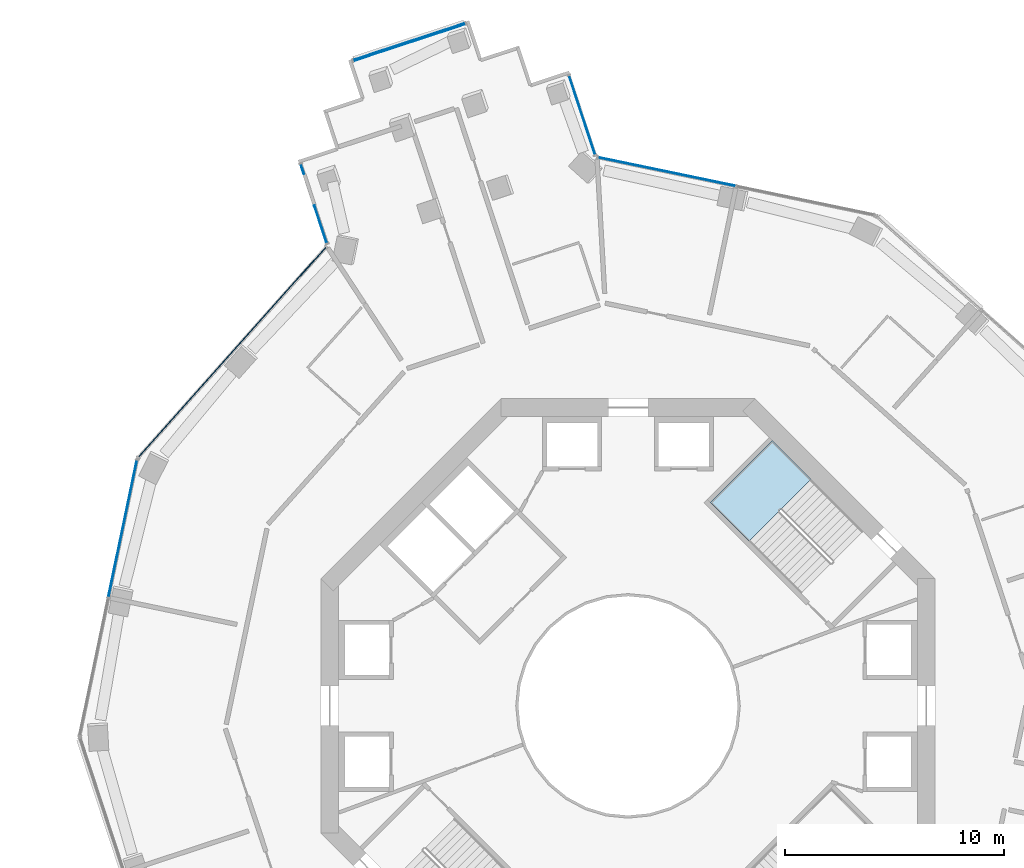
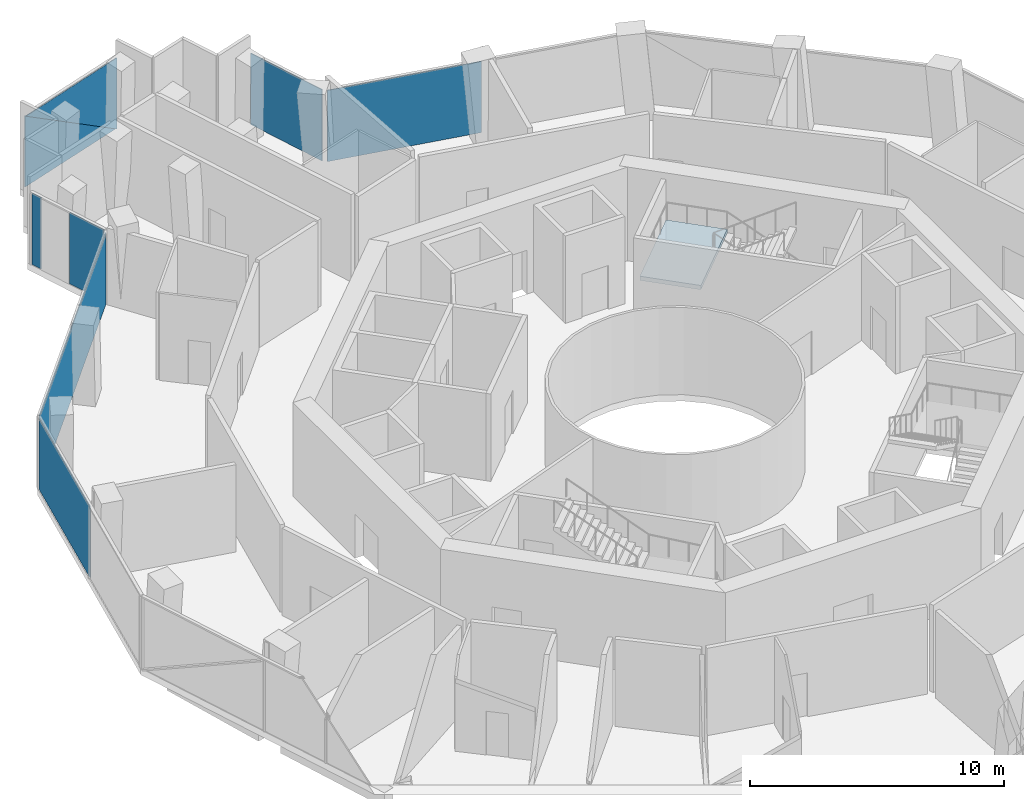
# One storey, part 13 of 21: 8 plates, 1 slab, 7 elements without a shape of their own.
"""IFC4 building model written with IfcOpenShell, lengths in metres."""

from ifc_helpers import new_model, si_unit, direction, frame, origin, origin_2d, place, context, subcontext, project, spatial, polyline, rectangle, outline, extrude, material, layer, layer_set, type_object, element, aggregate, save


model = new_model("IFC4")

# Units and contexts
model_context = context("Model", 3, precision=1e-05, world=origin(), true_north=direction((0.0, 1.0)))
body_context = subcontext(model_context, "Body", "Model", "MODEL_VIEW")
ifc_project = project(units=[si_unit("LENGTHUNIT", "METRE"), si_unit("AREAUNIT", "SQUARE_METRE"), si_unit("VOLUMEUNIT", "CUBIC_METRE"), si_unit("PLANEANGLEUNIT", "RADIAN"), si_unit("MASSUNIT", "GRAM", prefix="KILO")], contexts=[model_context])

# Site, building, storey
site_placement = place(None, origin())
site = spatial("IfcSite", under=ifc_project, at=site_placement, CompositionType="ELEMENT")
building_placement = place(site_placement, origin())
building = spatial("IfcBuilding", under=site, at=building_placement, Name="Verdalira Terraces Hotel", CompositionType="ELEMENT")
storey_placement = place(building_placement, frame((0.0, 0.0, 107.0)))
storey = spatial("IfcBuildingStorey", under=building, at=storey_placement, Name="L25", CompositionType="ELEMENT", Elevation=107.0)

# Curtain wall, plate
ifc_material_1 = material(Name="Clear glass", Category="glass")
ifc_layer_1 = layer(ifc_material_1, 0.179931640625)
ifc_layer_set_1 = layer_set([ifc_layer_1], Name="CW4 curtain wall")
curtain_wall_type = type_object("IfcCurtainWallType", Name="CW4 curtain wall", PredefinedType="NOTDEFINED", material=ifc_layer_set_1)
curtain_wall_1_placement = place(storey_placement, origin())
curtain_wall_1 = element("IfcCurtainWall", 1, at=curtain_wall_1_placement, inside=storey, type_object=curtain_wall_type, Name="CW4 curtain wall L25 edge 0", PredefinedType="NOTDEFINED")
ifc_material_2 = material(Name="Clear glass", Category="glass")
ifc_layer_2 = layer(ifc_material_2, 0.035888671875)
ifc_layer_set_2 = layer_set([ifc_layer_2], Name="CW4 glass unit 36")
plate_type = type_object("IfcPlateType", Name="CW4 glass unit 36", PredefinedType="CURTAIN_PANEL", material=ifc_layer_set_2)
plate_1_placement = place(storey_placement, frame((-2.093506, 26.927246, 0.0), z_axis=(0.0, 0.0, 1.0), x_axis=(-0.312998048, 0.949753769, 0.0)))
plate_1 = element("IfcPlate", 2, at=plate_1_placement, type_object=plate_type, Name="CW4 glass unit", PredefinedType="CURTAIN_PANEL", context=body_context, shape_type="SweptSolid", body=[
    extrude(rectangle(XDim=3.777832, YDim=0.035889, at=origin_2d()), origin(), (0.0, 0.0, 1.0), 3.419922),
])
aggregate(curtain_wall_1, [plate_1])

# Curtain wall, plates
curtain_wall_2_placement = place(storey_placement, origin())
curtain_wall_2 = element("IfcCurtainWall", 3, at=curtain_wall_2_placement, inside=storey, type_object=curtain_wall_type, Name="CW4 curtain wall L25 edge 5", PredefinedType="NOTDEFINED")
plate_2_placement = place(storey_placement, frame((-9.970703, 30.254883, 1.709961), z_axis=(-0.312998048, 0.949753769, 0.0), x_axis=(-0.949753769, -0.312998048, 0.0)))
plate_2 = element("IfcPlate", 4, at=plate_2_placement, type_object=plate_type, Name="CW4 glass unit", PredefinedType="CURTAIN_PANEL", context=body_context, shape_type="SweptSolid", body=[
    extrude(outline(polyline([(-2.685059, -1.709961), (2.685059, -1.709961), (2.685059, 1.709961), (-2.685059, -1.709961)])), origin(), (0.0, 0.0, 1.0), 0.035889),
])
plate_3_placement = place(storey_placement, frame((-9.958984, 30.219727, 1.709961), z_axis=(-0.312998048, 0.949753769, 0.0), x_axis=(-0.949753769, -0.312998048, 0.0)))
plate_3 = element("IfcPlate", 5, at=plate_3_placement, type_object=plate_type, Name="CW4 glass unit", PredefinedType="CURTAIN_PANEL", context=body_context, shape_type="SweptSolid", body=[
    extrude(outline(polyline([(-2.685059, -1.709961), (2.685059, 1.709961), (-2.685059, 1.709961), (-2.685059, -1.709961)])), origin(), (0.0, 0.0, 1.0), 0.035889),
])
aggregate(curtain_wall_2, [plate_2, plate_3])

curtain_wall_3_placement = place(storey_placement, origin())
curtain_wall_3 = element("IfcCurtainWall", 6, at=curtain_wall_3_placement, inside=storey, type_object=curtain_wall_type, Name="CW4 curtain wall L25 edge 10", PredefinedType="NOTDEFINED")
plate_4_placement = place(storey_placement, frame((-14.844727, 24.468994, 0.0), z_axis=(0.0, 0.0, 1.0), x_axis=(0.312998048, -0.949753769, 0.0)))
plate_4 = element("IfcPlate", 7, at=plate_4_placement, type_object=plate_type, Name="CW4 glass unit", PredefinedType="CURTAIN_PANEL", context=body_context, shape_type="SweptSolid", body=[
    extrude(rectangle(XDim=0.465088, YDim=0.035889, at=origin_2d()), origin(), (0.0, 0.0, 1.0), 3.419922),
])
plate_5_placement = place(storey_placement, frame((-14.01709, 21.957764, 0.0), z_axis=(0.0, 0.0, 1.0), x_axis=(0.312998048, -0.949753769, 0.0)))
plate_5 = element("IfcPlate", 8, at=plate_5_placement, type_object=plate_type, Name="CW4 glass unit", PredefinedType="CURTAIN_PANEL", context=body_context, shape_type="SweptSolid", body=[
    extrude(rectangle(XDim=1.802002, YDim=0.035889, at=origin_2d()), origin(), (0.0, 0.0, 1.0), 3.419922),
])
aggregate(curtain_wall_3, [plate_4, plate_5])

# Curtain wall, plate
curtain_wall_4_placement = place(storey_placement, origin())
curtain_wall_4 = element("IfcCurtainWall", 9, at=curtain_wall_4_placement, inside=storey, type_object=curtain_wall_type, Name="CW4 curtain wall L25 edge 11", PredefinedType="NOTDEFINED")
plate_6_placement = place(storey_placement, frame((-18.042969, 16.125, 0.0), z_axis=(0.0, 0.0, 1.0), x_axis=(-0.666011867, -0.745941145, 0.0)))
plate_6 = element("IfcPlate", 10, at=plate_6_placement, type_object=plate_type, Name="CW4 glass unit", PredefinedType="CURTAIN_PANEL", context=body_context, shape_type="SweptSolid", body=[
    extrude(rectangle(XDim=12.8125, YDim=0.035889, at=origin_2d()), origin(), (0.0, 0.0, 1.0), 3.419922),
])
aggregate(curtain_wall_4, [plate_6])

curtain_wall_5_placement = place(storey_placement, origin())
curtain_wall_5 = element("IfcCurtainWall", 11, at=curtain_wall_5_placement, inside=storey, type_object=curtain_wall_type, Name="CW4 curtain wall L25 edge 12", PredefinedType="NOTDEFINED")
plate_7_placement = place(storey_placement, frame((-23.0354, 8.078125, 0.0), z_axis=(0.0, 0.0, 1.0), x_axis=(-0.203812624, -0.979009915, 0.0)))
plate_7 = element("IfcPlate", 12, at=plate_7_placement, type_object=plate_type, Name="CW4 glass unit", PredefinedType="CURTAIN_PANEL", context=body_context, shape_type="SweptSolid", body=[
    extrude(rectangle(XDim=6.362305, YDim=0.035889, at=origin_2d()), origin(), (0.0, 0.0, 1.0), 3.419922),
])
aggregate(curtain_wall_5, [plate_7])

curtain_wall_6_placement = place(storey_placement, origin())
curtain_wall_6 = element("IfcCurtainWall", 13, at=curtain_wall_6_placement, inside=storey, type_object=curtain_wall_type, Name="CW4 curtain wall L25 edge 41", PredefinedType="NOTDEFINED")
plate_8_placement = place(storey_placement, frame((1.774414, 24.347656, 0.0), z_axis=(0.0, 0.0, 1.0), x_axis=(-0.979009915, 0.203812624, 0.0)))
plate_8 = element("IfcPlate", 14, at=plate_8_placement, type_object=plate_type, Name="CW4 glass unit", PredefinedType="CURTAIN_PANEL", context=body_context, shape_type="SweptSolid", body=[
    extrude(rectangle(XDim=6.385254, YDim=0.035889, at=origin_2d()), origin(), (0.0, 0.0, 1.0), 3.419922),
])
aggregate(curtain_wall_6, [plate_8])

# Stair, slab
ifc_material_3 = material(Name="Concrete C40", Category="concrete")
stair_type = type_object("IfcStairType", Name="Core stair 26 risers 1950 mm wide", PredefinedType="HALF_TURN_STAIR", material=ifc_material_3)
stair_placement = place(storey_placement, origin())
stair = element("IfcStair", 15, at=stair_placement, inside=storey, type_object=stair_type, Name="L25 Exit stair ST1", PredefinedType="HALF_TURN_STAIR")
ifc_material_4 = material(Name="Concrete C40", Category="concrete")
ifc_layer_3 = layer(ifc_material_4, 0.199951171875)
ifc_layer_set_3 = layer_set([ifc_layer_3], Name="Core stair landing 200 mm")
slab_type = type_object("IfcSlabType", Name="Core stair landing 200 mm", PredefinedType="LANDING", material=ifc_layer_set_3)
slab_placement = place(storey_placement, frame((0.0, 0.0, 2.050049)))
slab = element("IfcSlab", 16, at=slab_placement, type_object=slab_type, Name="ST1 landing 1", PredefinedType="LANDING", context=body_context, shape_type="SweptSolid", body=[
    extrude(outline(polyline([(8.337158, 10.330566), (6.576172, 12.091553), (3.747559, 9.263184), (5.508789, 7.501953), (8.337158, 10.330566)])), origin(), (0.0, 0.0, 1.0), 0.199951),
])
aggregate(stair, [slab])

save(model, "model.ifc")
